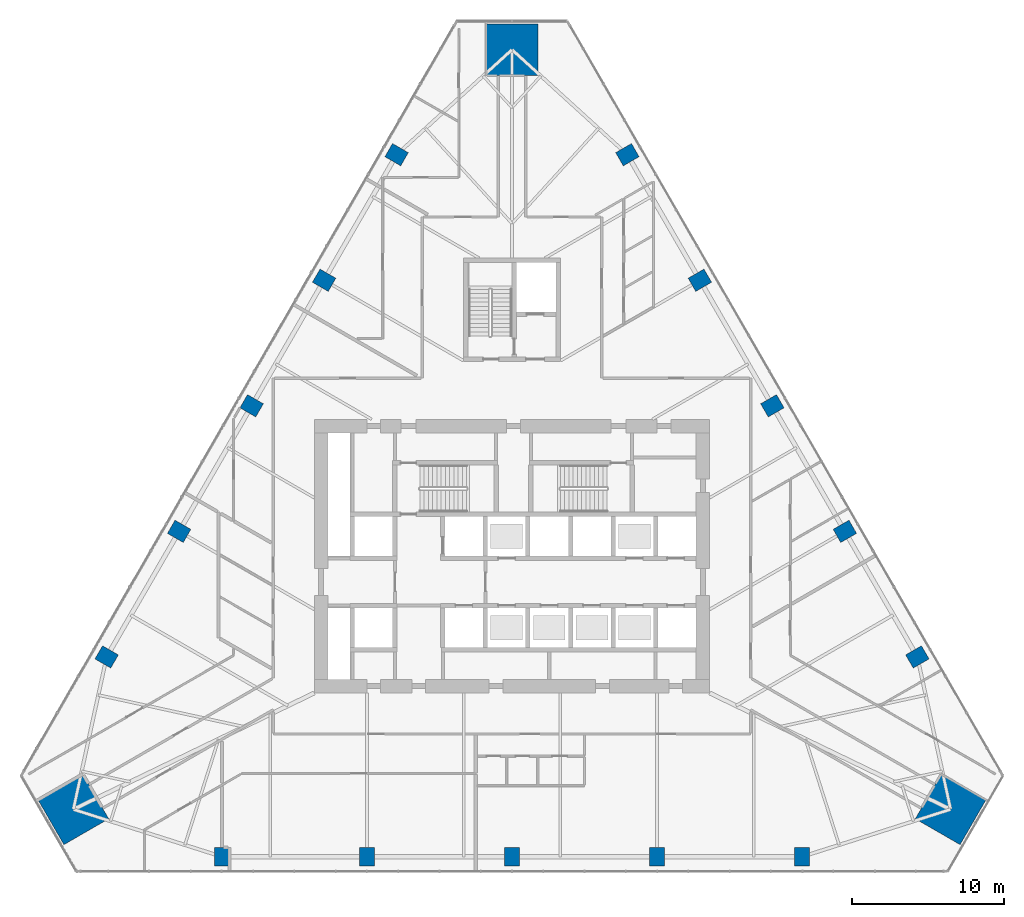
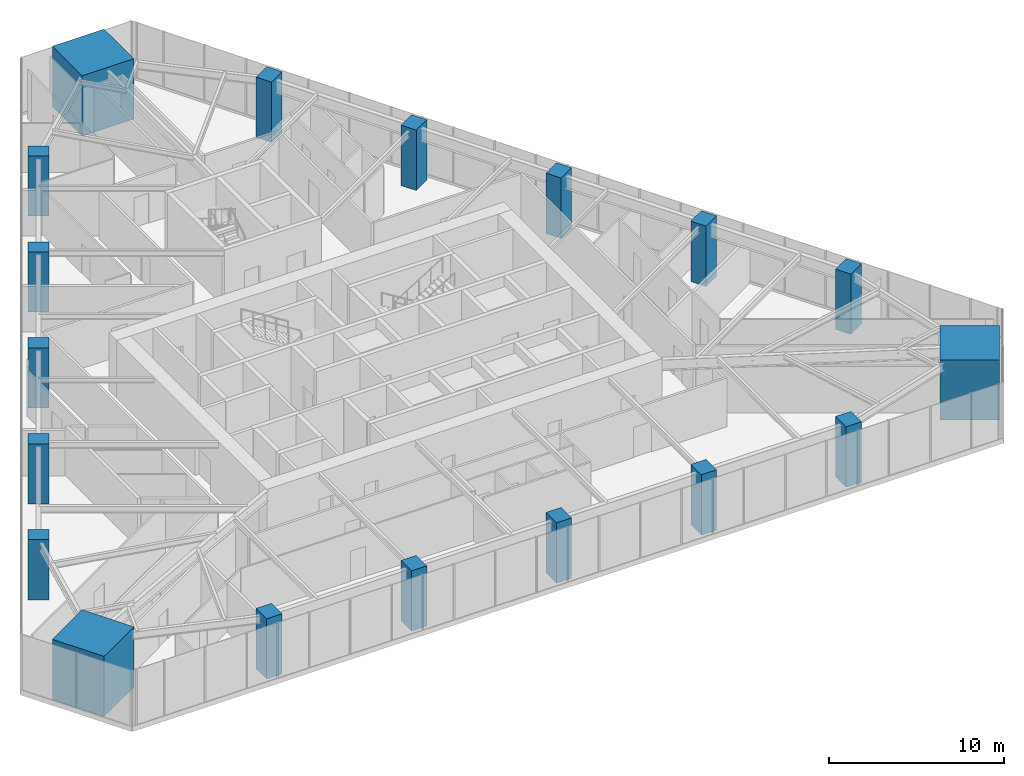
# One storey, part 1 of 26: 18 columns.
"""IFC4 building model written with IfcOpenShell, lengths in metres."""

from ifc_helpers import new_model, si_unit, direction, frame, origin, origin_2d, place, context, subcontext, project, spatial, rectangle, extrude, material, material_profile, profile_set, type_object, element, save


model = new_model("IFC4")

# Units and contexts
model_context = context("Model", 3, precision=1e-05, world=origin(), true_north=direction((0.0, 1.0)))
body_context = subcontext(model_context, "Body", "Model", "MODEL_VIEW")
ifc_project = project(units=[si_unit("LENGTHUNIT", "METRE"), si_unit("AREAUNIT", "SQUARE_METRE"), si_unit("VOLUMEUNIT", "CUBIC_METRE"), si_unit("PLANEANGLEUNIT", "RADIAN"), si_unit("MASSUNIT", "GRAM", prefix="KILO")], contexts=[model_context])

# Site, building, storey
site_placement = place(None, origin())
site = spatial("IfcSite", under=ifc_project, at=site_placement, CompositionType="ELEMENT")
building_placement = place(site_placement, origin())
building = spatial("IfcBuilding", under=site, at=building_placement, Name="Firuza Gate Tower and Library", CompositionType="ELEMENT")
storey_placement = place(building_placement, frame((0.0, 0.0, 65.199951171875)))
storey = spatial("IfcBuildingStorey", under=building, at=storey_placement, Name="L14", CompositionType="ELEMENT", Elevation=65.199951171875)

# Columns
ifc_material_1 = material(Name="Concrete C80/95", Category="concrete")
ifc_material_profile_1 = material_profile(ifc_material_1, rectangle(XDim=3.39990234375, YDim=3.39990234375, at=origin_2d()))
ifc_profile_set_1 = profile_set([ifc_material_profile_1], Name="Concrete C80/95")
column_type_1 = type_object("IfcColumnType", Name="Mega column 3400x3400 C80/95", PredefinedType="COLUMN", material=ifc_profile_set_1)
for number, where, z_axis, x_axis, name in (
    (1, (103.844482421875, 58.3466796875, 0.0), (0.0, 0.0, 1.0), (0.5, 0.866025403784, 0.0), "Mega column SE L14"),
    (2, (75.0, 108.306884765625, 0.0), (0.0, 0.0, 1.0), (-1.0, 0.0, 0.0), "Mega column N L14"),
    (3, (46.155517578125, 58.3466796875, 0.0), (0.0, 0.0, 1.0), (0.5, -0.866025403784, 0.0), "Mega column SW L14"),
):
    element("IfcColumn", number, at=place(storey_placement, frame(where, z_axis=z_axis, x_axis=x_axis)), inside=storey, type_object=column_type_1, Name=name, PredefinedType="COLUMN", context=body_context, shape_type="SweptSolid", body=[
        extrude(rectangle(XDim=3.39990234375, YDim=3.39990234375, at=origin_2d()), origin(), (0.0, 0.0, 1.0), 4.199951171875),
    ])
ifc_material_2 = material(Name="Concrete C60/75", Category="concrete")
ifc_material_profile_2 = material_profile(ifc_material_2, rectangle(XDim=1.0, YDim=1.199951171875, at=origin_2d()))
ifc_profile_set_2 = profile_set([ifc_material_profile_2], Name="Concrete C60/75")
column_type_2 = type_object("IfcColumnType", Name="Perimeter column 1000x1200 C60/75", PredefinedType="COLUMN", material=ifc_profile_set_2)
for number, where, z_axis, x_axis, name in (
    (4, (55.93115234375, 55.22900390625, -0.000244140625), (0.0, 0.0, 1.0), (1.0, 0.0, 0.0), "Column S1 L14"),
    (5, (65.465576171875, 55.22900390625, -0.000244140625), (0.0, 0.0, 1.0), (1.0, 0.0, 0.0), "Column S2 L14"),
    (6, (75.0, 55.22900390625, -0.000244140625), (0.0, 0.0, 1.0), (1.0, 0.0, 0.0), "Column S3 L14"),
    (7, (84.534423828125, 55.22900390625, -0.000244140625), (0.0, 0.0, 1.0), (1.0, 0.0, 0.0), "Column S4 L14"),
    (8, (94.06884765625, 55.22900390625, -0.000244140625), (0.0, 0.0, 1.0), (1.0, 0.0, 0.0), "Column S5 L14"),
    (9, (101.65673828125, 68.371337890625, -0.000244140625), (0.0, 0.0, 1.0), (-0.5, 0.866025403784, 0.0), "Column E1 L14"),
    (10, (96.889404296875, 76.62841796875, -0.000244140625), (0.0, 0.0, 1.0), (-0.5, 0.866025403784, 0.0), "Column E2 L14"),
    (11, (92.122314453125, 84.885498046875, -0.000244140625), (0.0, 0.0, 1.0), (-0.5, 0.866025403784, 0.0), "Column E3 L14"),
    (12, (87.35498046875, 93.142578125, -0.000244140625), (0.0, 0.0, 1.0), (-0.5, 0.866025403784, 0.0), "Column E4 L14"),
    (13, (82.587890625, 101.399658203125, -0.000244140625), (0.0, 0.0, 1.0), (-0.5, 0.866025403784, 0.0), "Column E5 L14"),
    (14, (67.412109375, 101.399658203125, -0.000244140625), (0.0, 0.0, 1.0), (-0.5, -0.866025403784, 0.0), "Column W1 L14"),
    (15, (62.64501953125, 93.142578125, -0.000244140625), (0.0, 0.0, 1.0), (-0.5, -0.866025403784, 0.0), "Column W2 L14"),
    (16, (57.877685546875, 84.885498046875, -0.000244140625), (0.0, 0.0, 1.0), (-0.5, -0.866025403784, 0.0), "Column W3 L14"),
    (17, (53.110595703125, 76.62841796875, -0.000244140625), (0.0, 0.0, 1.0), (-0.5, -0.866025403784, 0.0), "Column W4 L14"),
    (18, (48.34326171875, 68.371337890625, -0.000244140625), (0.0, 0.0, 1.0), (-0.5, -0.866025403784, 0.0), "Column W5 L14"),
):
    element("IfcColumn", number, at=place(storey_placement, frame(where, z_axis=z_axis, x_axis=x_axis)), inside=storey, type_object=column_type_2, Name=name, PredefinedType="COLUMN", context=body_context, shape_type="SweptSolid", body=[
        extrude(rectangle(XDim=1.0, YDim=1.199951171875, at=origin_2d()), origin(), (0.0, 0.0, 1.0), 4.2001953125),
    ])

save(model, "model.ifc")
